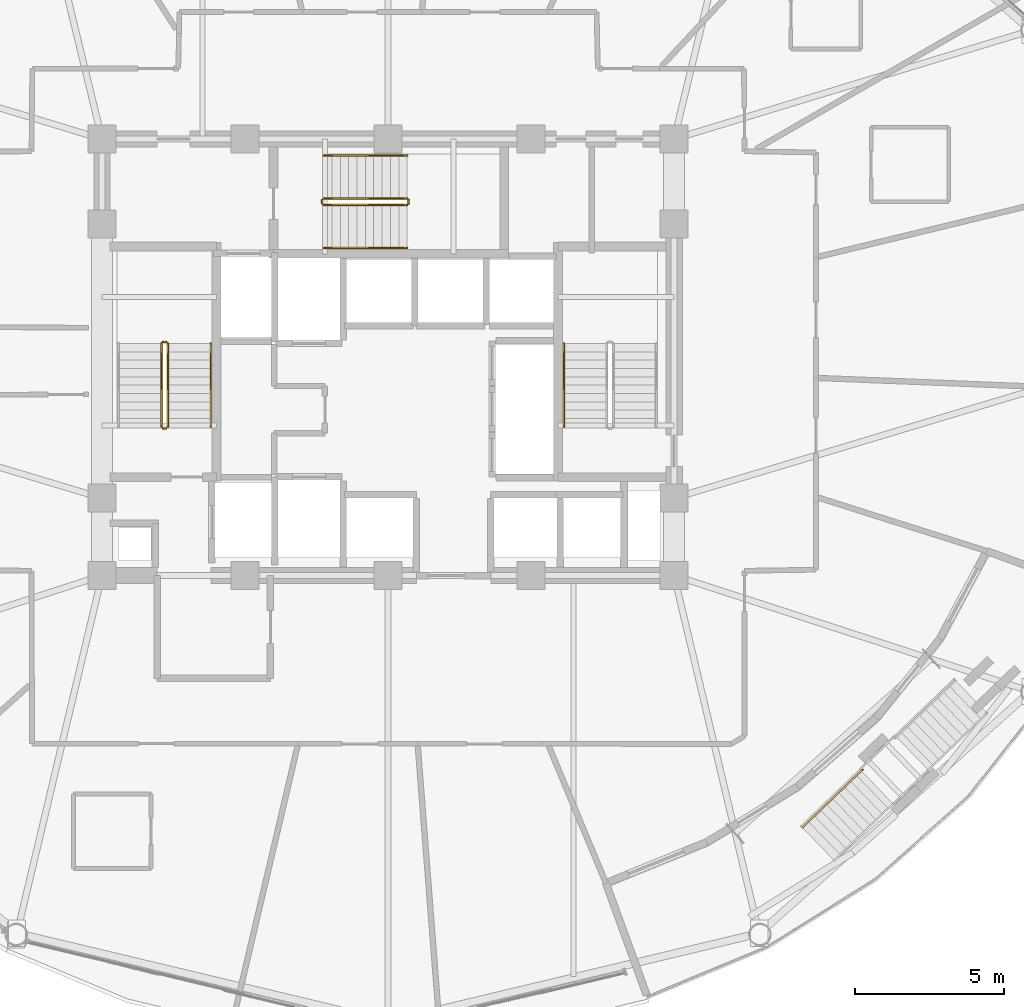
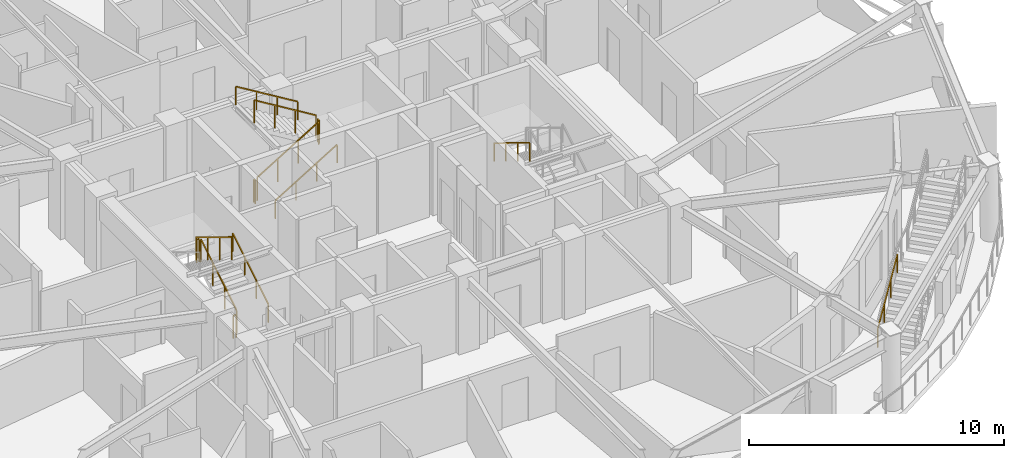
# One storey, part 16 of 18: 13 railings.
"""IFC4 building model written with IfcOpenShell, lengths in metres."""

import ifcopenshell
import ifcopenshell.guid

model = None  # the IFC model being written
_history = None  # IfcOwnerHistory: only IFC2X3 demands one
_inside = {}  # id of a spatial element -> (the spatial element, [elements in it])
_under = {}  # id of a project, library or spatial element -> (it, [spatial elements below it])
_declared = {}  # id of a project -> (the project, [libraries it declares])
_typed = {}  # id of a type object -> (the type object, [elements of that type])
_made_of = {}  # id of a material, layer set ... -> (it, [elements and type objects made of it])


def new_model(schema):
    """Start an empty IFC model of exactly this schema.

    Asked for "IFC4X3", IfcOpenShell would pick the latest addendum, in which some entities
    have other attributes; the version numbers below select the first issue.
    IFC2X3 requires an IfcOwnerHistory on every rooted entity: one is made here for all.
    """
    global model, _history
    if schema == "IFC4X3":
        model = ifcopenshell.file(schema_version=(4, 3, 0, 0))
    else:
        model = ifcopenshell.file(schema=schema)
    _inside.clear()
    _under.clear()
    _declared.clear()
    _typed.clear()
    _made_of.clear()
    _history = None
    if model.schema == "IFC2X3":
        org = make("IfcOrganization", Name="unknown")
        user = make(
            "IfcPersonAndOrganization",
            ThePerson=make("IfcPerson", FamilyName="unknown"),
            TheOrganization=org,
        )
        app = make(
            "IfcApplication",
            ApplicationDeveloper=org,
            Version="unknown",
            ApplicationFullName="unknown",
            ApplicationIdentifier="unknown",
        )
        _history = make(
            "IfcOwnerHistory",
            OwningUser=user,
            OwningApplication=app,
            ChangeAction="ADDED",
            CreationDate=0,
        )
    return model


def make(cls, **values):
    """One entity of the class cls with the attributes given. An attribute that is None is left unset."""
    return model.create_entity(
        cls, **{name: value for name, value in values.items() if value is not None}
    )


def rooted(cls, **values):
    """An entity with a GlobalId (a new one), such as an element, a storey or a relation."""
    return make(cls, GlobalId=ifcopenshell.guid.new(), OwnerHistory=_history, **values)


def si_unit(unit_type, name, prefix=None):
    """IfcSIUnit, for example si_unit("LENGTHUNIT", "METRE", prefix="MILLI")."""
    return make("IfcSIUnit", UnitType=unit_type, Prefix=prefix, Name=name)


def assignment(units):
    """IfcUnitAssignment: the units of a project."""
    return None if units is None else make("IfcUnitAssignment", Units=units)


def point(xyz):
    """IfcCartesianPoint."""
    return None if xyz is None else make("IfcCartesianPoint", Coordinates=xyz)


def direction(xyz):
    """IfcDirection."""
    return None if xyz is None else make("IfcDirection", DirectionRatios=xyz)


def frame(location, z_axis=None, x_axis=None):
    """IfcAxis2Placement3D, a coordinate frame: its origin and axes. An axis left out is left unset."""
    return make(
        "IfcAxis2Placement3D",
        Location=point(location),
        Axis=direction(z_axis),
        RefDirection=direction(x_axis),
    )


def frame_2d(location, x_axis=None):
    """IfcAxis2Placement2D, a coordinate frame in the plane: its origin and x axis."""
    return make(
        "IfcAxis2Placement2D", Location=point(location), RefDirection=direction(x_axis)
    )


def origin():
    """The frame at (0, 0, 0) with its axes left unset."""
    return frame((0.0, 0.0, 0.0))


def origin_2d():
    """The frame at (0, 0) in the plane with its x axis left unset."""
    return frame_2d((0.0, 0.0))


def place(relative_to, where):
    """IfcLocalPlacement: puts the frame where relative to a parent placement (None: the world)."""
    return make(
        "IfcLocalPlacement", PlacementRelTo=relative_to, RelativePlacement=where
    )


def context(
    kind, dimensions, precision=None, world=None, true_north=None, identifier=None
):
    """IfcGeometricRepresentationContext, for example the 3D "Model" context."""
    return make(
        "IfcGeometricRepresentationContext",
        ContextIdentifier=identifier,
        ContextType=kind,
        CoordinateSpaceDimension=dimensions,
        Precision=precision,
        WorldCoordinateSystem=world,
        TrueNorth=true_north,
    )


def subcontext(parent, identifier, kind, view, scale=None):
    """IfcGeometricRepresentationSubContext, for example "Body" below "Model"."""
    return make(
        "IfcGeometricRepresentationSubContext",
        ContextIdentifier=identifier,
        ContextType=kind,
        ParentContext=parent,
        TargetScale=scale,
        TargetView=view,
    )


def project(units=None, contexts=None):
    """IfcProject with its units and contexts."""
    return rooted(
        "IfcProject",
        Name="project",
        RepresentationContexts=contexts,
        UnitsInContext=assignment(units),
    )


def spatial(cls, under=None, at=None, **own):
    """A site, building, storey or space (cls), placed at a placement, below another one or the project."""
    s = rooted(cls, ObjectPlacement=at, **own)
    if under is not None:
        _under.setdefault(under.id(), (under, []))[1].append(s)
    return s


def profile(cls, at=None, kind="AREA", **sizes):
    """A parametric profile (cls). Its sizes go by their IFC names, for example OverallWidth=200.0."""
    return make(cls, ProfileType=kind, Position=at, **sizes)


def rectangle(**sizes):
    """IfcRectangleProfileDef."""
    return profile("IfcRectangleProfileDef", **sizes)


def extrude(swept, where, along, depth):
    """IfcExtrudedAreaSolid: the profile swept, set in the frame where, extruded along a direction by depth."""
    return make(
        "IfcExtrudedAreaSolid",
        SweptArea=swept,
        Position=where,
        ExtrudedDirection=direction(along),
        Depth=depth,
    )


def shape(context_of_items, identifier, shape_type, items):
    """IfcShapeRepresentation: the items that make up one representation, for example the "Body"."""
    return make(
        "IfcShapeRepresentation",
        ContextOfItems=context_of_items,
        RepresentationIdentifier=identifier,
        RepresentationType=shape_type,
        Items=items,
    )


def material(Name=None, Category=None):
    """IfcMaterial."""
    return make("IfcMaterial", Name=Name, Category=Category)


def made_of(thing, what):
    """Note that an element or type object is made of a material, layer set ...; save() writes the relation."""
    if what is not None:
        _made_of.setdefault(what.id(), (what, []))[1].append(thing)
    return thing


def type_object(cls, material=None, **own):
    """A type object (cls), such as IfcWallType, which elements share."""
    return made_of(rooted(cls, **own), material)


def element(
    cls,
    number,
    at=None,
    inside=None,
    cuts=None,
    type_object=None,
    material=None,
    context=None,
    identifier="Body",
    shape_type=None,
    held_by="IfcProductDefinitionShape",
    body=None,
    shapes=None,
    **own,
):
    """One element of the class cls, such as IfcWall. Its Tag is "e" and its number.

    at: its placement. inside: the storey or other place that contains it. cuts: it is an
    opening in that element (IfcRelVoidsElement). A single representation is given by context,
    identifier, shape_type and body (its items); several are given by shapes. held_by: the class
    of the entity that holds the representations. save() writes the other relations.
    """
    e = rooted(cls, Tag="e%d" % number, ObjectPlacement=at, **own)
    if body is not None:
        shapes = [shape(context, identifier, shape_type, body)]
    if shapes is not None:
        e.Representation = make(held_by, Representations=shapes)
    if inside is not None:
        _inside.setdefault(inside.id(), (inside, []))[1].append(e)
    if cuts is not None:
        rooted(
            "IfcRelVoidsElement", RelatingBuildingElement=cuts, RelatedOpeningElement=e
        )
    if type_object is not None:
        _typed.setdefault(type_object.id(), (type_object, []))[1].append(e)
    return made_of(e, material)


def aggregate(whole, parts):
    """IfcRelAggregates: a whole, such as a stair, and the parts it consists of."""
    return rooted("IfcRelAggregates", RelatingObject=whole, RelatedObjects=parts)


def save(model, path):
    """Write the relations noted so far, then the file.

    IfcRelAggregates (storeys below a building ...), IfcRelContainedInSpatialStructure (elements
    in a storey), IfcRelDefinesByType, IfcRelAssociatesMaterial and IfcRelDeclares: one each for
    every whole, place, type object, material and project.
    """
    for whole, parts in _under.values():
        aggregate(whole, parts)
    for where, things in _inside.values():
        rooted(
            "IfcRelContainedInSpatialStructure",
            RelatedElements=things,
            RelatingStructure=where,
        )
    for kind, things in _typed.values():
        rooted("IfcRelDefinesByType", RelatedObjects=things, RelatingType=kind)
    for what, things in _made_of.values():
        rooted("IfcRelAssociatesMaterial", RelatedObjects=things, RelatingMaterial=what)
    for by, libraries in _declared.values():
        rooted("IfcRelDeclares", RelatingContext=by, RelatedDefinitions=libraries)
    model.write(path)


model = new_model("IFC4")

# Units and contexts
model_context = context("Model", 3, precision=1e-05, world=origin(), true_north=direction((0.0, 1.0)))
body_context = subcontext(model_context, "Body", "Model", "MODEL_VIEW")
ifc_project = project(units=[si_unit("LENGTHUNIT", "METRE"), si_unit("AREAUNIT", "SQUARE_METRE"), si_unit("VOLUMEUNIT", "CUBIC_METRE"), si_unit("PLANEANGLEUNIT", "RADIAN"), si_unit("MASSUNIT", "GRAM", prefix="KILO")], contexts=[model_context])

# Site, building, storey
site_placement = place(None, origin())
site = spatial("IfcSite", under=ifc_project, at=site_placement, CompositionType="ELEMENT")
building_placement = place(site_placement, origin())
building = spatial("IfcBuilding", under=site, at=building_placement, Name="Vantalir Tower", CompositionType="ELEMENT")
storey_placement = place(building_placement, frame((0.0, 0.0, 138.449951171875)))
storey = spatial("IfcBuildingStorey", under=building, at=storey_placement, Name="L34", CompositionType="ELEMENT", Elevation=138.449951171875)

# Railings
ifc_material_1 = material(Name="Anodised aluminium and stainless steel guard", Category="steel")
railing_type_1 = type_object("IfcRailingType", Name="RAL-GUARD-1120", PredefinedType="GUARDRAIL", material=ifc_material_1)
railing_1_placement = place(storey_placement, frame((24.110107421875, 22.7900390625, 0.17041015625)))
element("IfcRailing", 1, at=railing_1_placement, inside=storey, type_object=railing_type_1, Name="L34 ST1 stair guard 1", PredefinedType="GUARDRAIL", context=body_context, shape_type="SweptSolid", body=[
    extrude(rectangle(XDim=0.048095703125, YDim=0.048095703125, at=origin_2d()), frame((0.0, 0.0, 1.09619140625), z_axis=(0.0, 0.854169791009, 0.51999420009), x_axis=(-1.0, 0.0, 0.0)), (0.0, 0.0, 1.0), 3.278076171875),
    extrude(rectangle(XDim=0.0419921875, YDim=0.0419921875, at=origin_2d()), origin(), (0.0, 0.0, 1.0), 1.072021484375),
    extrude(rectangle(XDim=0.0419921875, YDim=0.0419921875, at=origin_2d()), frame((0.0, 0.933349609375, 0.568115234375)), (0.0, 0.0, 1.0), 1.072021484375),
    extrude(rectangle(XDim=0.0419921875, YDim=0.0419921875, at=origin_2d()), frame((0.0, 1.86669921875, 1.136474609375)), (0.0, 0.0, 1.0), 1.072021484375),
    extrude(rectangle(XDim=0.0419921875, YDim=0.0419921875, at=origin_2d()), frame((0.0, 2.800048828125, 1.70458984375)), (0.0, 0.0, 1.0), 1.072021484375),
])
railing_2_placement = place(storey_placement, frame((24.06005859375, 25.639892578125, 1.875)))
element("IfcRailing", 2, at=railing_2_placement, inside=storey, type_object=railing_type_1, Name="L34 ST1 stair guard 2", PredefinedType="GUARDRAIL", context=body_context, shape_type="SweptSolid", body=[
    extrude(rectangle(XDim=0.048095703125, YDim=0.048095703125, at=origin_2d()), frame((0.0, 0.0, 1.09619140625), z_axis=(-1.0, 0.0, 0.0), x_axis=(0.0, -1.0, 0.0)), (0.0, 0.0, 1.0), 0.1201171875),
    extrude(rectangle(XDim=0.0419921875, YDim=0.0419921875, at=origin_2d()), origin(), (0.0, 0.0, 1.0), 1.072021484375),
    extrude(rectangle(XDim=0.0419921875, YDim=0.0419921875, at=origin_2d()), frame((-0.1201171875, 0.0, 0.0)), (0.0, 0.0, 1.0), 1.072021484375),
])
railing_3_placement = place(storey_placement, frame((23.889892578125, 25.590087890625, 2.04541015625)))
element("IfcRailing", 3, at=railing_3_placement, inside=storey, type_object=railing_type_1, Name="L34 ST1 stair guard 3", PredefinedType="GUARDRAIL", context=body_context, shape_type="SweptSolid", body=[
    extrude(rectangle(XDim=0.048095703125, YDim=0.048095703125, at=origin_2d()), frame((0.0, 0.0, 1.09619140625), z_axis=(0.0, -0.854169791009, 0.51999420009), x_axis=(1.0, 0.0, 0.0)), (0.0, 0.0, 1.0), 3.278076171875),
    extrude(rectangle(XDim=0.0419921875, YDim=0.0419921875, at=origin_2d()), origin(), (0.0, 0.0, 1.0), 1.072021484375),
    extrude(rectangle(XDim=0.0419921875, YDim=0.0419921875, at=origin_2d()), frame((0.0, -0.933349609375, 0.568115234375)), (0.0, 0.0, 1.0), 1.072021484375),
    extrude(rectangle(XDim=0.0419921875, YDim=0.0419921875, at=origin_2d()), frame((0.0, -1.86669921875, 1.136474609375)), (0.0, 0.0, 1.0), 1.072021484375),
    extrude(rectangle(XDim=0.0419921875, YDim=0.0419921875, at=origin_2d()), frame((0.0, -2.800048828125, 1.70458984375)), (0.0, 0.0, 1.0), 1.072021484375),
])
railing_4_placement = place(storey_placement, frame((24.06005859375, 22.739990234375, 0.0)))
element("IfcRailing", 4, at=railing_4_placement, inside=storey, type_object=railing_type_1, Name="L34 ST1 stair guard 4", PredefinedType="GUARDRAIL", context=body_context, shape_type="SweptSolid", body=[
    extrude(rectangle(XDim=0.048095703125, YDim=0.048095703125, at=origin_2d()), frame((0.0, 0.0, 1.09619140625), z_axis=(-1.0, 0.0, 0.0), x_axis=(0.0, -1.0, 0.0)), (0.0, 0.0, 1.0), 0.1201171875),
    extrude(rectangle(XDim=0.0419921875, YDim=0.0419921875, at=origin_2d()), origin(), (0.0, 0.0, 1.0), 1.072021484375),
    extrude(rectangle(XDim=0.0419921875, YDim=0.0419921875, at=origin_2d()), frame((-0.1201171875, 0.0, 0.0)), (0.0, 0.0, 1.0), 1.072021484375),
])
railing_5_placement = place(storey_placement, frame((29.340087890625, 30.239990234375, 0.17041015625)))
element("IfcRailing", 5, at=railing_5_placement, inside=storey, type_object=railing_type_1, Name="L34 ST3 stair guard 1", PredefinedType="GUARDRAIL", context=body_context, shape_type="SweptSolid", body=[
    extrude(rectangle(XDim=0.048095703125, YDim=0.048095703125, at=origin_2d()), frame((0.0, 0.0, 1.09619140625), z_axis=(0.854149651119, 0.0, 0.520027281489), x_axis=(0.0, 1.0, 0.0)), (0.0, 0.0, 1.0), 3.27783203125),
    extrude(rectangle(XDim=0.0419921875, YDim=0.0419921875, at=origin_2d()), origin(), (0.0, 0.0, 1.0), 1.072021484375),
    extrude(rectangle(XDim=0.0419921875, YDim=0.0419921875, at=origin_2d()), frame((0.933349609375, 0.0, 0.568115234375)), (0.0, 0.0, 1.0), 1.072021484375),
    extrude(rectangle(XDim=0.0419921875, YDim=0.0419921875, at=origin_2d()), frame((1.866455078125, 0.0, 1.136474609375)), (0.0, 0.0, 1.0), 1.072021484375),
    extrude(rectangle(XDim=0.0419921875, YDim=0.0419921875, at=origin_2d()), frame((2.7998046875, 0.0, 1.70458984375)), (0.0, 0.0, 1.0), 1.072021484375),
])
railing_6_placement = place(storey_placement, frame((32.18994140625, 30.2900390625, 1.875)))
element("IfcRailing", 6, at=railing_6_placement, inside=storey, type_object=railing_type_1, Name="L34 ST3 stair guard 2", PredefinedType="GUARDRAIL", context=body_context, shape_type="SweptSolid", body=[
    extrude(rectangle(XDim=0.048095703125, YDim=0.048095703125, at=origin_2d()), frame((0.0, 0.0, 1.09619140625), z_axis=(0.0, 1.0, 0.0), x_axis=(-1.0, 0.0, 0.0)), (0.0, 0.0, 1.0), 0.119873046875),
    extrude(rectangle(XDim=0.0419921875, YDim=0.0419921875, at=origin_2d()), origin(), (0.0, 0.0, 1.0), 1.072021484375),
    extrude(rectangle(XDim=0.0419921875, YDim=0.0419921875, at=origin_2d()), frame((0.0, 0.119873046875, 0.0)), (0.0, 0.0, 1.0), 1.072021484375),
])
railing_7_placement = place(storey_placement, frame((32.139892578125, 30.4599609375, 2.04541015625)))
element("IfcRailing", 7, at=railing_7_placement, inside=storey, type_object=railing_type_1, Name="L34 ST3 stair guard 3", PredefinedType="GUARDRAIL", context=body_context, shape_type="SweptSolid", body=[
    extrude(rectangle(XDim=0.048095703125, YDim=0.048095703125, at=origin_2d()), frame((0.0, 0.0, 1.09619140625), z_axis=(-0.854149651119, 0.0, 0.520027281489), x_axis=(0.0, -1.0, 0.0)), (0.0, 0.0, 1.0), 3.27783203125),
    extrude(rectangle(XDim=0.0419921875, YDim=0.0419921875, at=origin_2d()), origin(), (0.0, 0.0, 1.0), 1.072021484375),
    extrude(rectangle(XDim=0.0419921875, YDim=0.0419921875, at=origin_2d()), frame((-0.933349609375, 0.0, 0.568115234375)), (0.0, 0.0, 1.0), 1.072021484375),
    extrude(rectangle(XDim=0.0419921875, YDim=0.0419921875, at=origin_2d()), frame((-1.866455078125, 0.0, 1.136474609375)), (0.0, 0.0, 1.0), 1.072021484375),
    extrude(rectangle(XDim=0.0419921875, YDim=0.0419921875, at=origin_2d()), frame((-2.7998046875, 0.0, 1.70458984375)), (0.0, 0.0, 1.0), 1.072021484375),
])
railing_8_placement = place(storey_placement, frame((29.2900390625, 30.2900390625, 0.0)))
element("IfcRailing", 8, at=railing_8_placement, inside=storey, type_object=railing_type_1, Name="L34 ST3 stair guard 4", PredefinedType="GUARDRAIL", context=body_context, shape_type="SweptSolid", body=[
    extrude(rectangle(XDim=0.048095703125, YDim=0.048095703125, at=origin_2d()), frame((0.0, 0.0, 1.09619140625), z_axis=(0.0, 1.0, 0.0), x_axis=(-1.0, 0.0, 0.0)), (0.0, 0.0, 1.0), 0.119873046875),
    extrude(rectangle(XDim=0.0419921875, YDim=0.0419921875, at=origin_2d()), origin(), (0.0, 0.0, 1.0), 1.072021484375),
    extrude(rectangle(XDim=0.0419921875, YDim=0.0419921875, at=origin_2d()), frame((0.0, 0.119873046875, 0.0)), (0.0, 0.0, 1.0), 1.072021484375),
])
ifc_material_2 = material(Name="Brushed stainless steel tubular handrail", Category="steel")
railing_type_2 = type_object("IfcRailingType", Name="RAL-HANDRAIL-900", PredefinedType="HANDRAIL", material=ifc_material_2)
railing_9_placement = place(storey_placement, frame((25.550048828125, 22.7900390625, 0.17041015625)))
element("IfcRailing", 9, at=railing_9_placement, inside=storey, type_object=railing_type_2, Name="L34 ST1 stair handrail 1", PredefinedType="HANDRAIL", context=body_context, shape_type="SweptSolid", body=[
    extrude(rectangle(XDim=0.048095703125, YDim=0.048095703125, at=origin_2d()), frame((0.0, 0.0, 0.8759765625), z_axis=(0.0, 0.854169791009, 0.51999420009), x_axis=(-1.0, 0.0, 0.0)), (0.0, 0.0, 1.0), 3.278076171875),
    extrude(rectangle(XDim=0.0419921875, YDim=0.0419921875, at=origin_2d()), origin(), (0.0, 0.0, 1.0), 0.851806640625),
    extrude(rectangle(XDim=0.0419921875, YDim=0.0419921875, at=origin_2d()), frame((0.0, 0.933349609375, 0.568115234375)), (0.0, 0.0, 1.0), 0.851806640625),
    extrude(rectangle(XDim=0.0419921875, YDim=0.0419921875, at=origin_2d()), frame((0.0, 1.86669921875, 1.136474609375)), (0.0, 0.0, 1.0), 0.851806640625),
    extrude(rectangle(XDim=0.0419921875, YDim=0.0419921875, at=origin_2d()), frame((0.0, 2.800048828125, 1.70458984375)), (0.0, 0.0, 1.0), 0.851806640625),
])
railing_10_placement = place(storey_placement, frame((37.39990234375, 25.590087890625, 2.04541015625)))
element("IfcRailing", 10, at=railing_10_placement, inside=storey, type_object=railing_type_2, Name="L34 ST2 stair handrail 2", PredefinedType="HANDRAIL", context=body_context, shape_type="SweptSolid", body=[
    extrude(rectangle(XDim=0.048095703125, YDim=0.048095703125, at=origin_2d()), frame((0.0, 0.0, 0.8759765625), z_axis=(0.0, -0.854169791009, 0.51999420009), x_axis=(1.0, 0.0, 0.0)), (0.0, 0.0, 1.0), 3.278076171875),
    extrude(rectangle(XDim=0.0419921875, YDim=0.0419921875, at=origin_2d()), origin(), (0.0, 0.0, 1.0), 0.851806640625),
    extrude(rectangle(XDim=0.0419921875, YDim=0.0419921875, at=origin_2d()), frame((0.0, -0.933349609375, 0.568115234375)), (0.0, 0.0, 1.0), 0.851806640625),
    extrude(rectangle(XDim=0.0419921875, YDim=0.0419921875, at=origin_2d()), frame((0.0, -1.86669921875, 1.136474609375)), (0.0, 0.0, 1.0), 0.851806640625),
    extrude(rectangle(XDim=0.0419921875, YDim=0.0419921875, at=origin_2d()), frame((0.0, -2.800048828125, 1.70458984375)), (0.0, 0.0, 1.0), 0.851806640625),
])
railing_11_placement = place(storey_placement, frame((29.340087890625, 28.800048828125, 0.17041015625)))
element("IfcRailing", 11, at=railing_11_placement, inside=storey, type_object=railing_type_2, Name="L34 ST3 stair handrail 1", PredefinedType="HANDRAIL", context=body_context, shape_type="SweptSolid", body=[
    extrude(rectangle(XDim=0.048095703125, YDim=0.048095703125, at=origin_2d()), frame((0.0, 0.0, 0.8759765625), z_axis=(0.854149651119, 0.0, 0.520027281489), x_axis=(0.0, 1.0, 0.0)), (0.0, 0.0, 1.0), 3.27783203125),
    extrude(rectangle(XDim=0.0419921875, YDim=0.0419921875, at=origin_2d()), origin(), (0.0, 0.0, 1.0), 0.851806640625),
    extrude(rectangle(XDim=0.0419921875, YDim=0.0419921875, at=origin_2d()), frame((0.933349609375, 0.0, 0.568115234375)), (0.0, 0.0, 1.0), 0.851806640625),
    extrude(rectangle(XDim=0.0419921875, YDim=0.0419921875, at=origin_2d()), frame((1.866455078125, 0.0, 1.136474609375)), (0.0, 0.0, 1.0), 0.851806640625),
    extrude(rectangle(XDim=0.0419921875, YDim=0.0419921875, at=origin_2d()), frame((2.7998046875, 0.0, 1.70458984375)), (0.0, 0.0, 1.0), 0.851806640625),
])
railing_12_placement = place(storey_placement, frame((32.139892578125, 31.89990234375, 2.04541015625)))
element("IfcRailing", 12, at=railing_12_placement, inside=storey, type_object=railing_type_2, Name="L34 ST3 stair handrail 2", PredefinedType="HANDRAIL", context=body_context, shape_type="SweptSolid", body=[
    extrude(rectangle(XDim=0.048095703125, YDim=0.048095703125, at=origin_2d()), frame((0.0, 0.0, 0.8759765625), z_axis=(-0.854149651119, 0.0, 0.520027281489), x_axis=(0.0, -1.0, 0.0)), (0.0, 0.0, 1.0), 3.27783203125),
    extrude(rectangle(XDim=0.0419921875, YDim=0.0419921875, at=origin_2d()), origin(), (0.0, 0.0, 1.0), 0.851806640625),
    extrude(rectangle(XDim=0.0419921875, YDim=0.0419921875, at=origin_2d()), frame((-0.933349609375, 0.0, 0.568115234375)), (0.0, 0.0, 1.0), 0.851806640625),
    extrude(rectangle(XDim=0.0419921875, YDim=0.0419921875, at=origin_2d()), frame((-1.866455078125, 0.0, 1.136474609375)), (0.0, 0.0, 1.0), 0.851806640625),
    extrude(rectangle(XDim=0.0419921875, YDim=0.0419921875, at=origin_2d()), frame((-2.7998046875, 0.0, 1.70458984375)), (0.0, 0.0, 1.0), 0.851806640625),
])
railing_13_placement = place(storey_placement, frame((45.409912109375, 9.343994140625, 0.170166015625)))
element("IfcRailing", 13, at=railing_13_placement, inside=storey, type_object=railing_type_2, Name="Sky Garden Stair SG2 Handrail F1", PredefinedType="HANDRAIL", context=body_context, shape_type="SweptSolid", body=[
    extrude(rectangle(XDim=0.048095703125, YDim=0.048095703125, at=origin_2d()), frame((0.0, 0.0, 0.8759765625), z_axis=(0.61579786467, 0.591970135928, 0.519965718137), x_axis=(-0.693021605667, 0.720916814951, 0.0)), (0.0, 0.0, 1.0), 3.27880859375),
    extrude(rectangle(XDim=0.0419921875, YDim=0.0419921875, at=origin_2d()), origin(), (0.0, 0.0, 1.0), 0.851806640625),
    extrude(rectangle(XDim=0.0419921875, YDim=0.0419921875, at=origin_2d()), frame((0.673095703125, 0.64697265625, 0.568359375)), (0.0, 0.0, 1.0), 0.851806640625),
    extrude(rectangle(XDim=0.0419921875, YDim=0.0419921875, at=origin_2d()), frame((1.345947265625, 1.2939453125, 1.136474609375)), (0.0, 0.0, 1.0), 0.851806640625),
    extrude(rectangle(XDim=0.0419921875, YDim=0.0419921875, at=origin_2d()), frame((2.01904296875, 1.94091796875, 1.704833984375)), (0.0, 0.0, 1.0), 0.851806640625),
])

save(model, "model.ifc")
